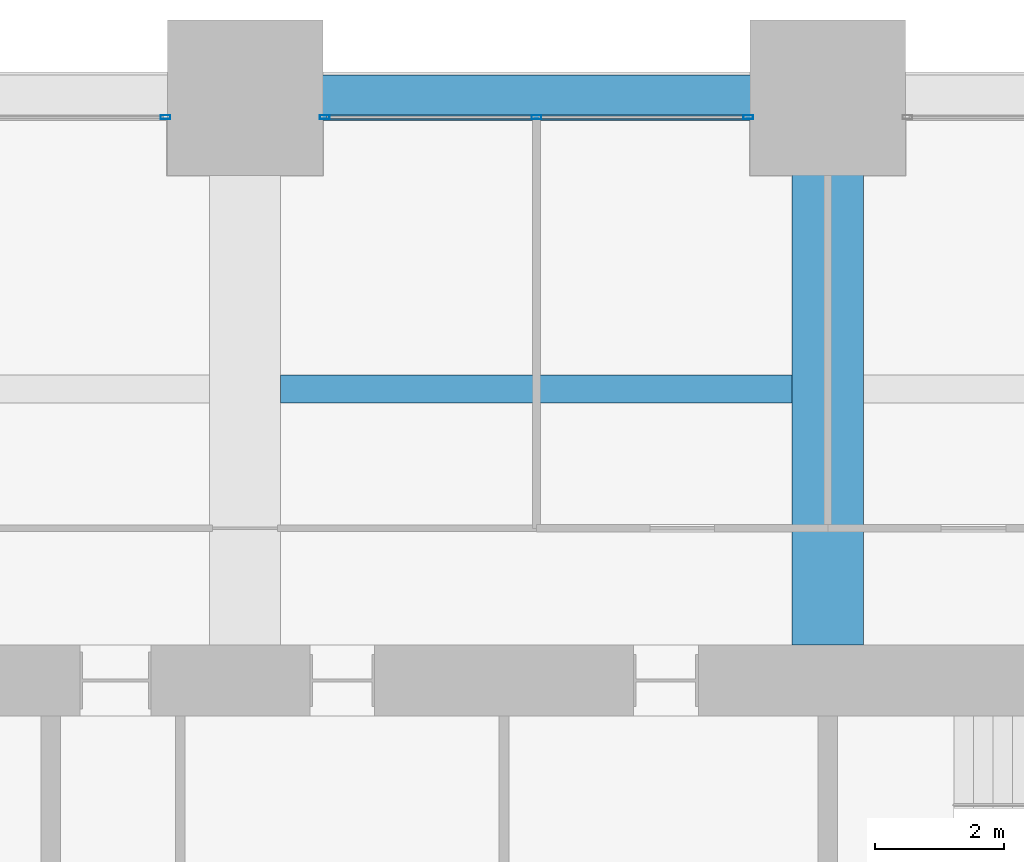
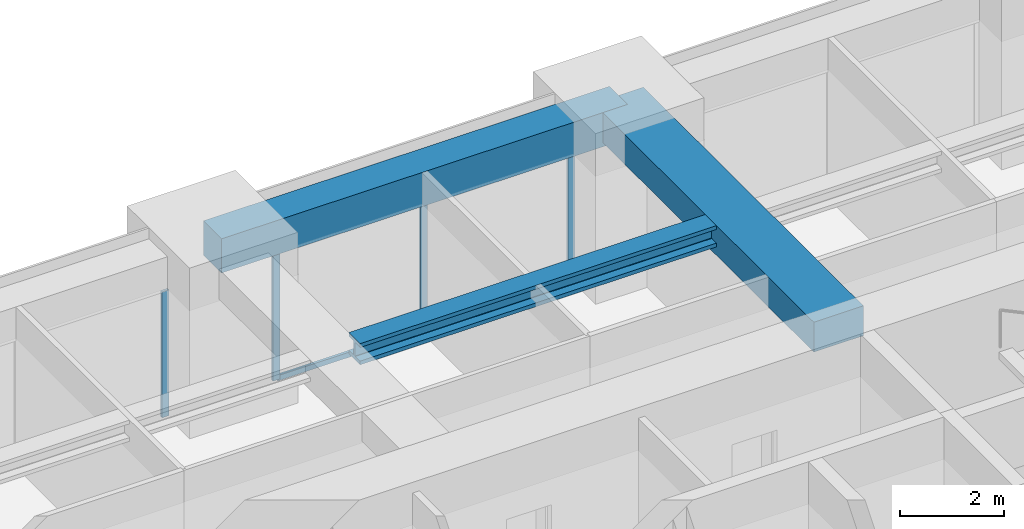
# One storey, part 25 of 33: 5 members, 3 beams, 2 elements without a shape of their own.
"""IFC4 building model written with IfcOpenShell, lengths in metres."""

from ifc_helpers import new_model, si_unit, direction, frame, origin, origin_2d, place, context, subcontext, project, spatial, rectangle, hollow_rectangle, i_section, extrude, material, material_profile, profile_set, type_object, element, aggregate, save


model = new_model("IFC4")

# Units and contexts
model_context = context("Model", 3, precision=1e-05, world=origin(), true_north=direction((0.0, 1.0)))
body_context = subcontext(model_context, "Body", "Model", "MODEL_VIEW")
ifc_project = project(units=[si_unit("LENGTHUNIT", "METRE"), si_unit("AREAUNIT", "SQUARE_METRE"), si_unit("VOLUMEUNIT", "CUBIC_METRE"), si_unit("PLANEANGLEUNIT", "RADIAN"), si_unit("MASSUNIT", "GRAM", prefix="KILO")], contexts=[model_context])

# Site, building, storey
site_placement = place(None, origin())
site = spatial("IfcSite", under=ifc_project, at=site_placement, CompositionType="ELEMENT")
building_placement = place(site_placement, origin())
building = spatial("IfcBuilding", under=site, at=building_placement, Name="Zorevar Civic Tower", CompositionType="ELEMENT")
storey_placement = place(building_placement, frame((0.0, 0.0, 206.199951171875)))
storey = spatial("IfcBuildingStorey", under=building, at=storey_placement, Name="L50", CompositionType="ELEMENT", Elevation=206.199951171875)

# Beam
ifc_material_1 = material(Name="Concrete C50/60", Category="concrete")
ifc_material_profile_1 = material_profile(ifc_material_1, rectangle(XDim=1.10009765625, YDim=0.699951171875, at=origin_2d()), Name="RC 1100x700")
ifc_profile_set_1 = profile_set([ifc_material_profile_1], Name="Concrete C50/60")
beam_type_1 = type_object("IfcBeamType", Name="Beam RC 1100x700", PredefinedType="BEAM", material=ifc_profile_set_1)
beam_1_placement = place(storey_placement, frame((36.0, 36.550048828125, 3.400146484375), z_axis=(0.0, 1.0, 0.0), x_axis=(-1.0, 0.0, 0.0)))
element("IfcBeam", 1, at=beam_1_placement, inside=storey, type_object=beam_type_1, Name="Girder L51", PredefinedType="BEAM", context=body_context, shape_type="SweptSolid", body=[
    extrude(rectangle(XDim=1.10009765625, YDim=0.699951171875, at=origin_2d()), origin(), (0.0, 0.0, 1.0), 8.449951171875),
])

# Curtain wall, member
ifc_material_2 = material(Name="Dark grey solar-control glass in black aluminium frame", Category="aluminium")
curtain_wall_type = type_object("IfcCurtainWallType", Name="Curtain wall CW4 high zone", PredefinedType="NOTDEFINED", material=ifc_material_2)
curtain_wall_1_placement = place(storey_placement, origin())
curtain_wall_1 = element("IfcCurtainWall", 2, at=curtain_wall_1_placement, inside=storey, type_object=curtain_wall_type, Name="CW4 L50", PredefinedType="NOTDEFINED")
ifc_material_3 = material(Name="Aluminium, black anodised", Category="aluminium")
ifc_material_profile_2 = material_profile(ifc_material_3, hollow_rectangle(XDim=0.06005859375, YDim=0.14990234375, WallThickness=0.00390625, at=origin_2d()), Name="AL 150x60x4")
ifc_profile_set_2 = profile_set([ifc_material_profile_2], Name="Aluminium, black anodised")
member_type_1 = type_object("IfcMemberType", Name="CW4 mullion AL 150x60x4", PredefinedType="MULLION", material=ifc_profile_set_2)
member_1_placement = place(storey_placement, frame((25.77001953125, 44.699951171875, 0.0), z_axis=(0.0, 0.0, 1.0), x_axis=(0.0, 1.0, 0.0)))
member_1 = element("IfcMember", 3, at=member_1_placement, type_object=member_type_1, Name="CW4 mullion 3", PredefinedType="MULLION", context=body_context, shape_type="SweptSolid", body=[
    extrude(hollow_rectangle(XDim=0.06005859375, YDim=0.14990234375, WallThickness=0.00390625, at=origin_2d()), origin(), (0.0, 0.0, 1.0), 2.949951171875),
])
aggregate(curtain_wall_1, [member_1])

# Curtain wall, members
curtain_wall_2_placement = place(storey_placement, origin())
curtain_wall_2 = element("IfcCurtainWall", 4, at=curtain_wall_2_placement, inside=storey, type_object=curtain_wall_type, Name="CW4 L50", PredefinedType="NOTDEFINED")
member_2_placement = place(storey_placement, frame((28.22998046875, 44.699951171875, 0.0), z_axis=(0.0, 0.0, 1.0), x_axis=(0.0, 1.0, 0.0)))
member_2 = element("IfcMember", 5, at=member_2_placement, type_object=member_type_1, Name="CW4 mullion 1", PredefinedType="MULLION", context=body_context, shape_type="SweptSolid", body=[
    extrude(hollow_rectangle(XDim=0.06005859375, YDim=0.14990234375, WallThickness=0.00390625, at=origin_2d()), origin(), (0.0, 0.0, 1.0), 2.949951171875),
])
member_3_placement = place(storey_placement, frame((31.5, 44.699951171875, 0.06005859375), z_axis=(0.0, 0.0, 1.0), x_axis=(0.0, 1.0, 0.0)))
member_3 = element("IfcMember", 6, at=member_3_placement, type_object=member_type_1, Name="CW4 mullion 2", PredefinedType="MULLION", context=body_context, shape_type="SweptSolid", body=[
    extrude(hollow_rectangle(XDim=0.06005859375, YDim=0.14990234375, WallThickness=0.00390625, at=origin_2d()), origin(), (0.0, 0.0, 1.0), 2.889892578125),
])
member_4_placement = place(storey_placement, frame((34.77001953125, 44.699951171875, 0.0), z_axis=(0.0, 0.0, 1.0), x_axis=(0.0, 1.0, 0.0)))
member_4 = element("IfcMember", 7, at=member_4_placement, type_object=member_type_1, Name="CW4 mullion 3", PredefinedType="MULLION", context=body_context, shape_type="SweptSolid", body=[
    extrude(hollow_rectangle(XDim=0.06005859375, YDim=0.14990234375, WallThickness=0.00390625, at=origin_2d()), origin(), (0.0, 0.0, 1.0), 2.949951171875),
])
ifc_material_4 = material(Name="Aluminium, black anodised", Category="aluminium")
ifc_material_profile_3 = material_profile(ifc_material_4, hollow_rectangle(XDim=0.06005859375, YDim=0.1201171875, WallThickness=0.0029296875, at=origin_2d()), Name="AL 120x60x3")
ifc_profile_set_3 = profile_set([ifc_material_profile_3], Name="Aluminium, black anodised")
member_type_2 = type_object("IfcMemberType", Name="CW4 transom AL 120x60x3", PredefinedType="USERDEFINED", material=ifc_profile_set_3)
member_5_placement = place(storey_placement, frame((28.260009765625, 44.699951171875, 0.030029296875), z_axis=(1.0, 0.0, 0.0), x_axis=(0.0, 1.0, 0.0)))
member_5 = element("IfcMember", 8, at=member_5_placement, type_object=member_type_2, Name="CW4 sill transom", ObjectType="TRANSOM", PredefinedType="USERDEFINED", context=body_context, shape_type="SweptSolid", body=[
    extrude(hollow_rectangle(XDim=0.06005859375, YDim=0.1201171875, WallThickness=0.0029296875, at=origin_2d()), origin(), (0.0, 0.0, 1.0), 6.47998046875),
])
aggregate(curtain_wall_2, [member_2, member_3, member_4, member_5])

# Beams
ifc_material_5 = material(Name="Steel S460M (HISTAR 460)", Category="steel")
ifc_material_profile_4 = material_profile(ifc_material_5, i_section(OverallWidth=0.431884765625, OverallDepth=0.498046875, WebThickness=0.0556640625, FlangeThickness=0.0888671875, FilletRadius=0.014892578125, at=origin_2d()), Name="HD 400x744")
ifc_profile_set_4 = profile_set([ifc_material_profile_4], Name="Steel S460M (HISTAR 460)")
beam_type_2 = type_object("IfcBeamType", Name="Core bay beam HD 400x744", PredefinedType="BEAM", material=ifc_profile_set_4)
beam_2_placement = place(storey_placement, frame((27.550048828125, 40.5, 3.5009765625), z_axis=(1.0, 0.0, 0.0), x_axis=(0.0, 1.0, 0.0)))
element("IfcBeam", 9, at=beam_2_placement, inside=storey, type_object=beam_type_2, Name="Secondary beam L51", PredefinedType="BEAM", context=body_context, shape_type="SweptSolid", body=[
    extrude(i_section(OverallWidth=0.431884765625, OverallDepth=0.498046875, WebThickness=0.0556640625, FlangeThickness=0.0888671875, FilletRadius=0.014892578125, at=origin_2d()), origin(), (0.0, 0.0, 1.0), 7.89990234375),
])
ifc_material_6 = material(Name="Concrete C50/60", Category="concrete")
ifc_material_profile_5 = material_profile(ifc_material_6, rectangle(XDim=0.699951171875, YDim=0.800048828125, at=origin_2d()), Name="RC 700x800")
ifc_profile_set_5 = profile_set([ifc_material_profile_5], Name="Concrete C50/60")
beam_type_3 = type_object("IfcBeamType", Name="Edge beam RC 700x800", PredefinedType="SPANDREL", material=ifc_profile_set_5)
beam_3_placement = place(storey_placement, frame((27.0, 45.0, 3.35009765625), z_axis=(1.0, 0.0, 0.0), x_axis=(0.0, 1.0, 0.0)))
element("IfcBeam", 10, at=beam_3_placement, inside=storey, type_object=beam_type_3, Name="Edge beam L51", PredefinedType="SPANDREL", context=body_context, shape_type="SweptSolid", body=[
    extrude(rectangle(XDim=0.699951171875, YDim=0.800048828125, at=origin_2d()), origin(), (0.0, 0.0, 1.0), 9.0),
])

save(model, "model.ifc")
